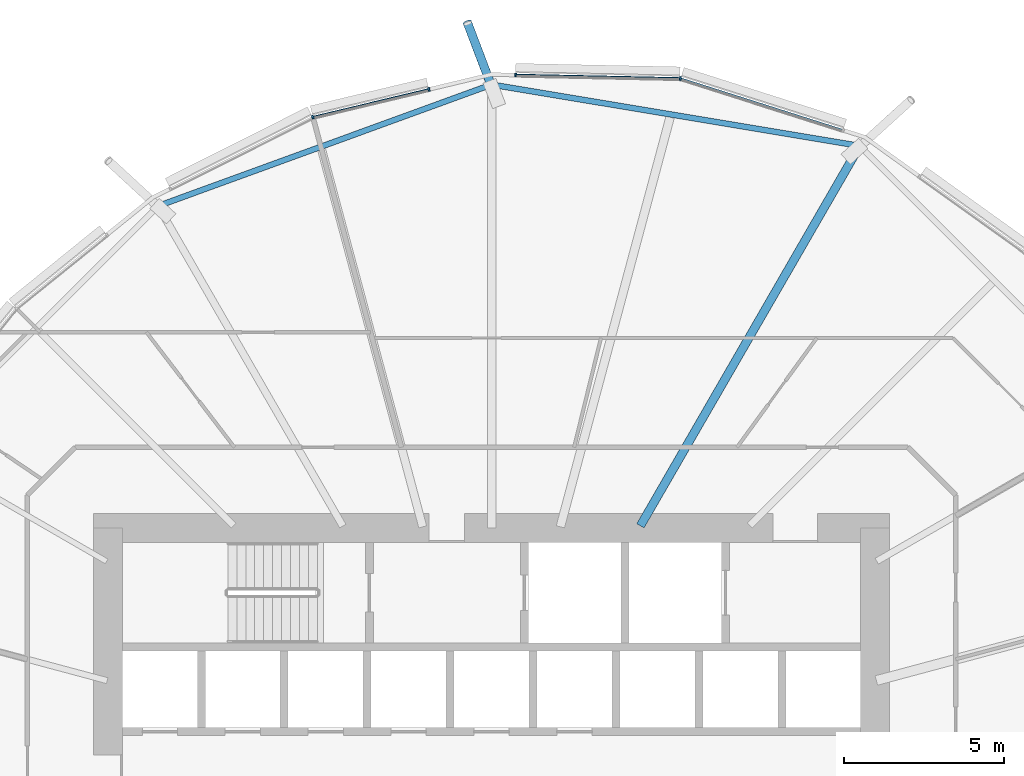
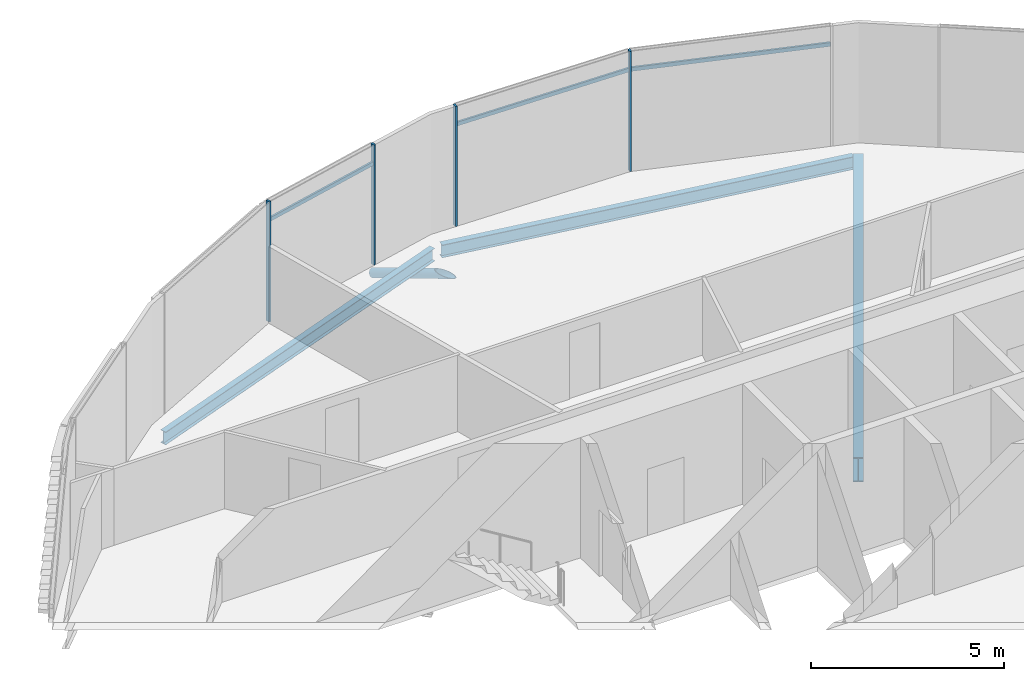
# One storey, part 17 of 38: 8 members, 3 beams, 1 element without a shape of its own.
"""IFC4 building model written with IfcOpenShell, lengths in metres."""

from ifc_helpers import new_model, si_unit, direction, frame, origin, origin_2d, place, context, subcontext, project, spatial, rectangle, hollow_circle, i_section, extrude, clip, halfspace, material, material_profile, profile_set, type_object, element, aggregate, save


model = new_model("IFC4")

# Units and contexts
model_context = context("Model", 3, precision=1e-05, world=origin(), true_north=direction((0.0, 1.0)))
body_context = subcontext(model_context, "Body", "Model", "MODEL_VIEW")
ifc_project = project(units=[si_unit("LENGTHUNIT", "METRE"), si_unit("AREAUNIT", "SQUARE_METRE"), si_unit("VOLUMEUNIT", "CUBIC_METRE"), si_unit("PLANEANGLEUNIT", "RADIAN"), si_unit("MASSUNIT", "GRAM", prefix="KILO")], contexts=[model_context])

# Site, building, storey
site_placement = place(None, origin())
site = spatial("IfcSite", under=ifc_project, at=site_placement, CompositionType="ELEMENT")
building_placement = place(site_placement, origin())
building = spatial("IfcBuilding", under=site, at=building_placement, Name="Rimbun Link Towers", CompositionType="ELEMENT")
storey_placement = place(building_placement, frame((0.0, 0.0, 68.0)))
storey = spatial("IfcBuildingStorey", under=building, at=storey_placement, Name="L16", CompositionType="ELEMENT", Elevation=68.0)

# Curtain wall, members
ifc_material_1 = material(Name="Aluminium 6063-T6 and low-iron glass", Category="aluminium")
curtain_wall_type = type_object("IfcCurtainWallType", Name="CW1 unitised vision wall", PredefinedType="NOTDEFINED", material=ifc_material_1)
curtain_wall_placement = place(storey_placement, origin())
curtain_wall = element("IfcCurtainWall", 1, at=curtain_wall_placement, inside=storey, type_object=curtain_wall_type, Name="CW1 L16 T2", PredefinedType="NOTDEFINED")
ifc_material_2 = material(Name="Aluminium 6063-T6", Category="aluminium")
ifc_material_profile_1 = material_profile(ifc_material_2, rectangle(XDim=0.1201171875, YDim=0.06005859375, at=origin_2d()), Name="MULLION 60X120")
ifc_profile_set_1 = profile_set([ifc_material_profile_1], Name="Aluminium 6063-T6")
member_type_1 = type_object("IfcMemberType", Name="CW1 mullion 60X120", PredefinedType="MULLION", material=ifc_profile_set_1)
member_1_placement = place(storey_placement, frame((37.656005859375, 22.06396484375, 0.0), z_axis=(0.0, 0.0, 1.0), x_axis=(0.16374422533, 0.986502827503, 0.0)))
member_1 = element("IfcMember", 2, at=member_1_placement, type_object=member_type_1, Name="CW1 mullion", PredefinedType="MULLION", context=body_context, shape_type="SweptSolid", body=[
    extrude(rectangle(XDim=0.1201171875, YDim=0.06005859375, at=origin_2d()), origin(), (0.0, 0.0, 1.0), 3.800048828125),
])
member_2_placement = place(storey_placement, frame((32.5009765625, 22.173095703125, 0.0), z_axis=(0.0, 0.0, 1.0), x_axis=(0.021059742681, 0.999778219026, 0.0)))
member_2 = element("IfcMember", 3, at=member_2_placement, type_object=member_type_1, Name="CW1 mullion", PredefinedType="MULLION", context=body_context, shape_type="SweptSolid", body=[
    extrude(rectangle(XDim=0.1201171875, YDim=0.06005859375, at=origin_2d()), origin(), (0.0, 0.0, 1.0), 3.800048828125),
])
member_3_placement = place(storey_placement, frame((26.156982421875, 20.8525390625, 0.0), z_axis=(0.0, 0.0, 1.0), x_axis=(-0.34296997, 0.939346368321, 0.0)))
member_3 = element("IfcMember", 4, at=member_3_placement, type_object=member_type_1, Name="CW1 mullion", PredefinedType="MULLION", context=body_context, shape_type="SweptSolid", body=[
    extrude(rectangle(XDim=0.1201171875, YDim=0.06005859375, at=origin_2d()), origin(), (0.0, 0.0, 1.0), 3.800048828125),
])
member_4_placement = place(storey_placement, frame((29.791015625, 21.72216796875, 0.0), z_axis=(0.0, 0.0, 1.0), x_axis=(-0.232601207201, 0.972572197016, 0.0)))
member_4 = element("IfcMember", 5, at=member_4_placement, type_object=member_type_1, Name="CW1 mullion", PredefinedType="MULLION", context=body_context, shape_type="SweptSolid", body=[
    extrude(rectangle(XDim=0.1201171875, YDim=0.06005859375, at=origin_2d()), origin(), (0.0, 0.0, 1.0), 3.800048828125),
])
ifc_material_3 = material(Name="Aluminium 6063-T6", Category="aluminium")
ifc_material_profile_2 = material_profile(ifc_material_3, rectangle(XDim=0.06005859375, YDim=0.1201171875, at=origin_2d()), Name="TRANSOM 60X120")
ifc_profile_set_2 = profile_set([ifc_material_profile_2], Name="Aluminium 6063-T6")
member_type_2 = type_object("IfcMemberType", Name="CW1 transom 60X120", PredefinedType="USERDEFINED", material=ifc_profile_set_2)
member_5_placement = place(storey_placement, frame((37.6923828125, 22.051025390625, 3.199951171875), z_axis=(0.952961021475, -0.303092876112, 0.0), x_axis=(0.303092876112, 0.952961021475, 0.0)))
member_5 = element("IfcMember", 6, at=member_5_placement, type_object=member_type_2, Name="CW1 transom", ObjectType="TRANSOM", PredefinedType="USERDEFINED", context=body_context, shape_type="SweptSolid", body=[
    extrude(rectangle(XDim=0.06005859375, YDim=0.1201171875, at=origin_2d()), origin(), (0.0, 0.0, 1.0), 5.276123046875),
])
member_6_placement = place(storey_placement, frame((32.531005859375, 22.170654296875, 3.199951171875), z_axis=(0.999778073515, -0.021066649432, 0.0), x_axis=(0.021066649432, 0.999778073515, 0.0)))
member_6 = element("IfcMember", 7, at=member_6_placement, type_object=member_type_2, Name="CW1 transom", ObjectType="TRANSOM", PredefinedType="USERDEFINED", context=body_context, shape_type="SweptSolid", body=[
    extrude(rectangle(XDim=0.06005859375, YDim=0.1201171875, at=origin_2d()), origin(), (0.0, 0.0, 1.0), 5.087646484375),
])
member_7_placement = place(storey_placement, frame((26.193359375, 20.859619140625, 3.199951171875), z_axis=(0.972573002452, 0.232597839415, 0.0), x_axis=(-0.232597839415, 0.972573002452, 0.0)))
member_7 = element("IfcMember", 8, at=member_7_placement, type_object=member_type_2, Name="CW1 transom", ObjectType="TRANSOM", PredefinedType="USERDEFINED", context=body_context, shape_type="SweptSolid", body=[
    extrude(rectangle(XDim=0.06005859375, YDim=0.1201171875, at=origin_2d()), origin(), (0.0, 0.0, 1.0), 3.66943359375),
])
aggregate(curtain_wall, [member_1, member_2, member_3, member_4, member_5, member_6, member_7])

# Member
ifc_material_4 = material(Name="Steel S355J2H", Category="steel")
ifc_material_profile_3 = material_profile(ifc_material_4, hollow_circle(Radius=0.136474609375, WallThickness=0.012451171875, at=origin_2d()), Name="CHS 273x12.5")
ifc_profile_set_3 = profile_set([ifc_material_profile_3], Name="Steel S355J2H")
member_type_3 = type_object("IfcMemberType", Name="Floor edge link CHS 273x12.5", PredefinedType="BRACE", material=ifc_profile_set_3)
member_8_placement = place(storey_placement, frame((31.75, 21.822021484375, -1.04736328125), z_axis=(-0.326001505609, 0.858963144157, -0.394848496668), x_axis=(-0.934929691224, -0.354833020544, 0.0)))
element("IfcMember", 9, at=member_8_placement, inside=storey, type_object=member_type_3, Name="Floor edge link T2 L16 03", PredefinedType="BRACE", context=body_context, shape_type="Clipping", body=[
    clip(extrude(hollow_circle(Radius=0.136474609375, WallThickness=0.012451171875, at=origin_2d()), frame((0.0, 0.0, -0.660400390625)), (0.0, 0.0, 1.0), 2.990234375), halfspace(frame((0.0, 0.0, -0.31201171875), z_axis=(0.0, 0.918746246076, -0.394848496668)), False)),
])

# Beams
ifc_material_5 = material(Name="Steel S355J2", Category="steel")
ifc_material_profile_4 = material_profile(ifc_material_5, i_section(OverallWidth=0.177978515625, OverallDepth=0.406494140625, WebThickness=0.0078125, FlangeThickness=0.0126953125, at=origin_2d()), Name="UB 406x178x60")
ifc_profile_set_4 = profile_set([ifc_material_profile_4], Name="Steel S355J2")
beam_type_1 = type_object("IfcBeamType", Name="UB 406x178x60", PredefinedType="BEAM", material=ifc_profile_set_4)
beam_1_placement = place(storey_placement, frame((43.12890625, 19.977294921875, -0.36328125), z_axis=(-0.986419380736, 0.164246172888, 0.0), x_axis=(-0.164246172888, -0.986419380736, 0.0)))
element("IfcBeam", 10, at=beam_1_placement, inside=storey, type_object=beam_type_1, Name="Edge beam T2 L16 01-03", PredefinedType="BEAM", context=body_context, shape_type="SweptSolid", body=[
    extrude(i_section(OverallWidth=0.177978515625, OverallDepth=0.406494140625, WebThickness=0.0078125, FlangeThickness=0.0126953125, at=origin_2d()), origin(), (0.0, 0.0, 1.0), 11.3994140625),
])
beam_2_placement = place(storey_placement, frame((31.61572265625, 21.822998046875, -0.36328125), z_axis=(-0.939632941759, -0.342184065616, 0.0), x_axis=(0.342184065616, -0.939632941759, 0.0)))
element("IfcBeam", 11, at=beam_2_placement, inside=storey, type_object=beam_type_1, Name="Edge beam T2 L16 03-05", PredefinedType="BEAM", context=body_context, shape_type="SweptSolid", body=[
    extrude(i_section(OverallWidth=0.177978515625, OverallDepth=0.406494140625, WebThickness=0.0078125, FlangeThickness=0.0126953125, at=origin_2d()), origin(), (0.0, 0.0, 1.0), 10.844970703125),
])
ifc_material_6 = material(Name="Steel S355J2", Category="steel")
ifc_material_profile_5 = material_profile(ifc_material_6, i_section(OverallWidth=0.2666015625, OverallDepth=0.76220703125, WebThickness=0.014404296875, FlangeThickness=0.021484375, at=origin_2d()), Name="UB 762x267x173")
ifc_profile_set_5 = profile_set([ifc_material_profile_5], Name="Steel S355J2")
beam_type_2 = type_object("IfcBeamType", Name="UB 762x267x173", PredefinedType="BEAM", material=ifc_profile_set_5)
beam_3_placement = place(storey_placement, frame((36.40771484375, 8.0673828125, -0.541015625), z_axis=(0.500007303237, 0.866021187218, 0.0), x_axis=(-0.866021187218, 0.500007303237, 0.0)))
element("IfcBeam", 12, at=beam_3_placement, inside=storey, type_object=beam_type_2, Name="Radial beam T2 L16 01", PredefinedType="BEAM", context=body_context, shape_type="SweptSolid", body=[
    extrude(i_section(OverallWidth=0.2666015625, OverallDepth=0.76220703125, WebThickness=0.014404296875, FlangeThickness=0.021484375, at=origin_2d()), origin(), (0.0, 0.0, 1.0), 13.725341796875),
])

save(model, "model.ifc")
